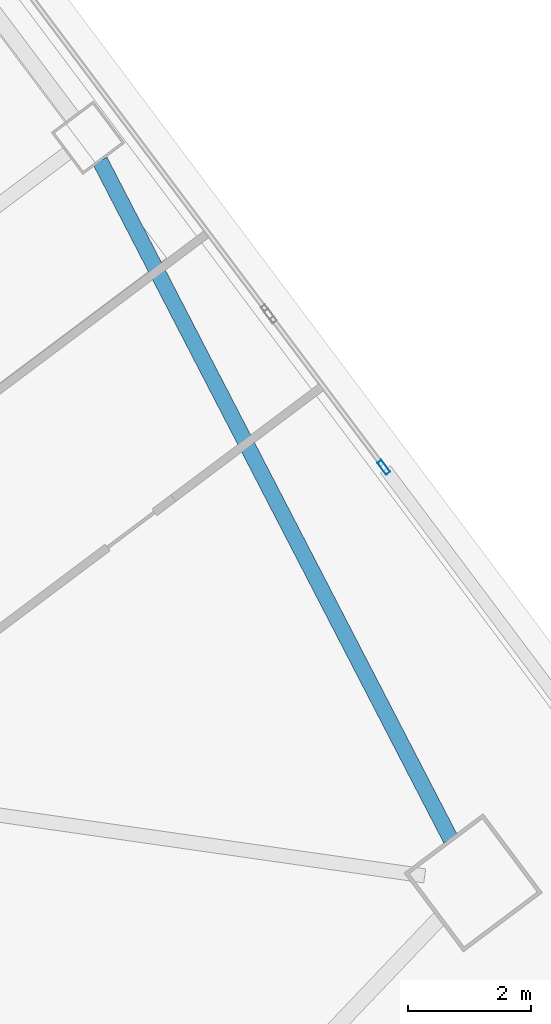
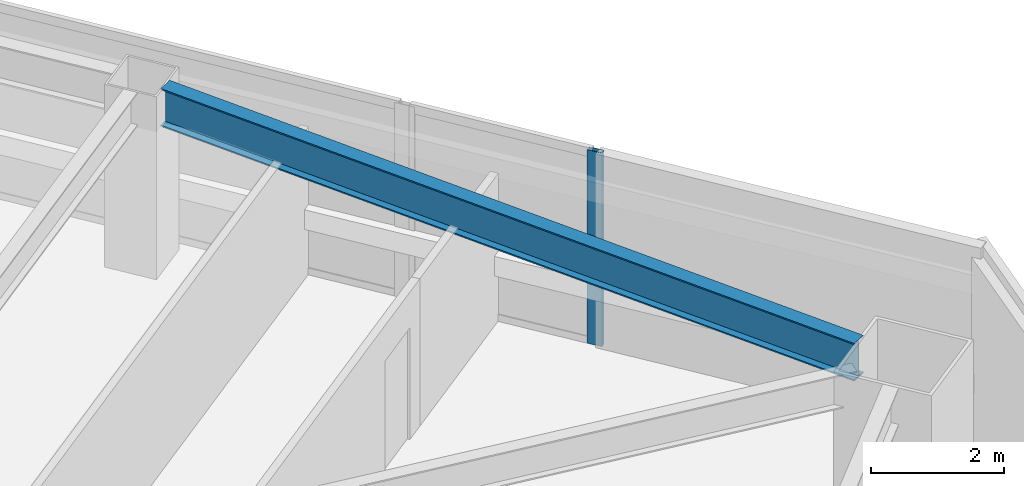
# One storey, part 27 of 48: 1 beam, 1 member, 1 element without a shape of its own.
"""IFC4 building model written with IfcOpenShell, lengths in metres."""

from ifc_helpers import new_model, si_unit, direction, frame, origin, origin_2d, place, context, subcontext, project, spatial, hollow_rectangle, i_section, extrude, material, material_profile, profile_set, type_object, element, aggregate, save


model = new_model("IFC4")

# Units and contexts
model_context = context("Model", 3, precision=1e-05, world=origin(), true_north=direction((0.0, 1.0)))
body_context = subcontext(model_context, "Body", "Model", "MODEL_VIEW")
ifc_project = project(units=[si_unit("LENGTHUNIT", "METRE"), si_unit("AREAUNIT", "SQUARE_METRE"), si_unit("VOLUMEUNIT", "CUBIC_METRE"), si_unit("PLANEANGLEUNIT", "RADIAN"), si_unit("MASSUNIT", "GRAM", prefix="KILO")], contexts=[model_context])

# Site, building, storey
site_placement = place(None, origin())
site = spatial("IfcSite", under=ifc_project, at=site_placement, CompositionType="ELEMENT")
building_placement = place(site_placement, origin())
building = spatial("IfcBuilding", under=site, at=building_placement, Name="Tashvorn Skyway Center", CompositionType="ELEMENT")
storey_placement = place(building_placement, frame((0.0, 0.0, 56.550048828125)))
storey = spatial("IfcBuildingStorey", under=building, at=storey_placement, Name="L14", CompositionType="ELEMENT", Elevation=56.550048828125)

# Beam
ifc_material_1 = material(Name="Steel ASTM A992 Grade 50", Category="steel")
ifc_material_profile_1 = material_profile(ifc_material_1, i_section(OverallWidth=0.256103515625, OverallDepth=0.693115234375, WebThickness=0.014404296875, FlangeThickness=0.023681640625, at=origin_2d()), Name="W27X114")
ifc_profile_set_1 = profile_set([ifc_material_profile_1], Name="Steel ASTM A992 Grade 50")
beam_type = type_object("IfcBeamType", Name="BM-SPANDREL-W27X114", PredefinedType="SPANDREL", material=ifc_profile_set_1)
beam_placement = place(storey_placement, frame((139.954833984375, 28.9462890625, 3.00341796875), z_axis=(-0.459233413919, 0.888315637339, 0.0), x_axis=(-0.888315637339, -0.459233413919, 0.0)))
element("IfcBeam", 1, at=beam_placement, inside=storey, type_object=beam_type, Name="Tower 2 L14 Spandrel Beam 04", PredefinedType="SPANDREL", context=body_context, shape_type="SweptSolid", body=[
    extrude(i_section(OverallWidth=0.256103515625, OverallDepth=0.693115234375, WebThickness=0.014404296875, FlangeThickness=0.023681640625, at=origin_2d()), origin(), (0.0, 0.0, 1.0), 12.37255859375),
])

# Curtain wall, member
ifc_material_2 = material(Name="Thermally broken bronze-anodized aluminium 6063-T6", Category="aluminium")
curtain_wall_type = type_object("IfcCurtainWallType", Name="CW-CW-Z1", PredefinedType="NOTDEFINED", material=ifc_material_2)
curtain_wall_placement = place(storey_placement, origin())
curtain_wall = element("IfcCurtainWall", 2, at=curtain_wall_placement, inside=storey, type_object=curtain_wall_type, Name="Tower 2 L14 East Unitised Curtain Wall Glazing Group 3", PredefinedType="NOTDEFINED")
ifc_material_profile_2 = material_profile(ifc_material_2, hollow_rectangle(XDim=0.0849609375, YDim=0.239990234375, WallThickness=0.0048828125, at=origin_2d()), Name="ALU-MULL-85x240")
ifc_profile_set_2 = profile_set([ifc_material_profile_2], Name="Thermally broken bronze-anodized aluminium 6063-T6")
member_type = type_object("IfcMemberType", Name="CWM-CW-Z1", PredefinedType="MULLION", material=ifc_profile_set_2)
member_placement = place(storey_placement, frame((138.87060546875, 34.97265625, 0.0), z_axis=(0.0, 0.0, 1.0), x_axis=(0.799996186392, 0.600005084776, 0.0)))
member = element("IfcMember", 3, at=member_placement, type_object=member_type, Name="CW-Z1 mullion 2", PredefinedType="MULLION", context=body_context, shape_type="SweptSolid", body=[
    extrude(hollow_rectangle(XDim=0.0849609375, YDim=0.239990234375, WallThickness=0.0048828125, at=origin_2d()), origin(), (0.0, 0.0, 1.0), 3.550048828125),
])
aggregate(curtain_wall, [member])

save(model, "model.ifc")
